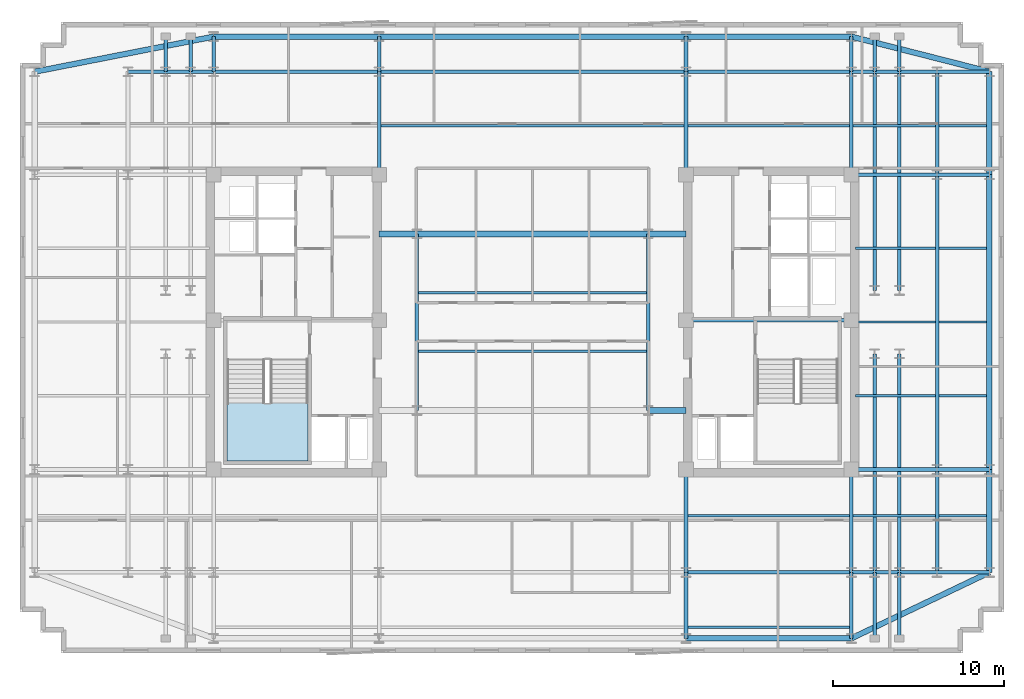
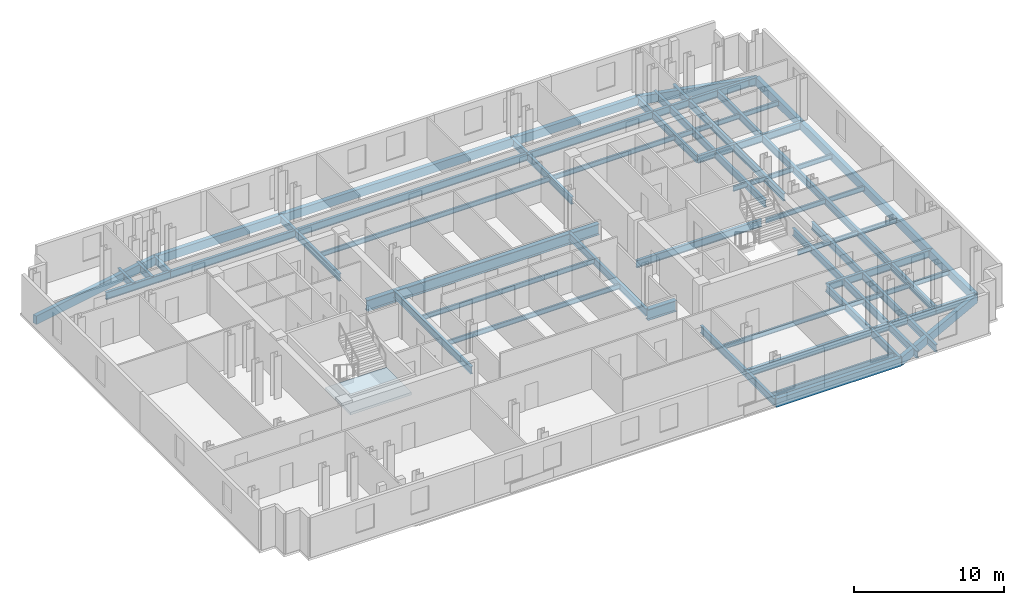
# One storey, part 2 of 9: 70 beams, 1 slab, 1 element without a shape of its own.
"""IFC4 building model written with IfcOpenShell, lengths in metres."""

from ifc_helpers import new_model, si_unit, direction, frame, origin, origin_2d, place, context, subcontext, project, spatial, polyline, rectangle, i_section, outline, extrude, material, layer, layer_set, material_profile, profile_set, type_object, element, aggregate, save


model = new_model("IFC4")

# Units and contexts
model_context = context("Model", 3, precision=1e-05, world=origin(), true_north=direction((0.0, 1.0)))
body_context = subcontext(model_context, "Body", "Model", "MODEL_VIEW")
ifc_project = project(units=[si_unit("LENGTHUNIT", "METRE"), si_unit("AREAUNIT", "SQUARE_METRE"), si_unit("VOLUMEUNIT", "CUBIC_METRE"), si_unit("PLANEANGLEUNIT", "RADIAN"), si_unit("MASSUNIT", "GRAM", prefix="KILO")], contexts=[model_context])

# Site, building, storey
site_placement = place(None, origin())
site = spatial("IfcSite", under=ifc_project, at=site_placement, CompositionType="ELEMENT")
building_placement = place(site_placement, origin())
building = spatial("IfcBuilding", under=site, at=building_placement, Name="Velakula Bourse", CompositionType="ELEMENT")
storey_placement = place(building_placement, frame((0.0, 0.0, 236.10009765625)))
storey = spatial("IfcBuildingStorey", under=building, at=storey_placement, Name="L64", CompositionType="ELEMENT", Elevation=236.10009765625)

# Beams
ifc_material_1 = material(Name="Steel IS 2062 Grade 350 (E350)", Category="steel")
ifc_material_profile_1 = material_profile(ifc_material_1, i_section(OverallWidth=0.2099609375, OverallDepth=0.60009765625, WebThickness=0.011962890625, FlangeThickness=0.020751953125, at=origin_2d()), Name="Steel IS 2062 Grade 350 (E350)")
ifc_profile_set_1 = profile_set([ifc_material_profile_1], Name="Steel IS 2062 Grade 350 (E350)")
beam_type_1 = type_object("IfcBeamType", Name="BM-GRD-600L", PredefinedType="BEAM", material=ifc_profile_set_1)
beam_1_placement = place(storey_placement, frame((8.949951171875, 0.10009765625, -0.47998046875), z_axis=(1.0, 0.0, 0.0), x_axis=(0.0, 1.0, 0.0)))
element("IfcBeam", 1, at=beam_1_placement, inside=storey, type_object=beam_type_1, Name="L64 Primary Backbone Girder CRE-M", PredefinedType="BEAM", context=body_context, shape_type="SweptSolid", body=[
    extrude(i_section(OverallWidth=0.2099609375, OverallDepth=0.60009765625, WebThickness=0.011962890625, FlangeThickness=0.020751953125, at=origin_2d()), origin(), (0.0, 0.0, 1.0), 9.650146484375),
])
for number, where, z_axis, x_axis, name in (
    (2, (-6.75, -5.14990234375, -0.47998046875), (0.0, 1.0, 0.0), (-1.0, 0.0, 0.0), "L64 Primary Backbone Girder SPN-W"),
    (3, (6.75, -5.14990234375, -0.47998046875), (0.0, 1.0, 0.0), (-1.0, 0.0, 0.0), "L64 Primary Backbone Girder SPN-E"),
):
    element("IfcBeam", number, at=place(storey_placement, frame(where, z_axis=z_axis, x_axis=x_axis)), inside=storey, type_object=beam_type_1, Name=name, PredefinedType="BEAM", context=body_context, shape_type="SweptSolid", body=[
        extrude(i_section(OverallWidth=0.2099609375, OverallDepth=0.60009765625, WebThickness=0.011962890625, FlangeThickness=0.020751953125, at=origin_2d()), origin(), (0.0, 0.0, 1.0), 10.2998046875),
    ])
for number, where, z_axis, x_axis, name in (
    (4, (-8.949951171875, 8.60009765625, -0.47998046875), (0.0, 1.0, 0.0), (-1.0, 0.0, 0.0), "L64 Fulcrum Grid Girder FLC-WCN"),
    (5, (8.949951171875, -14.60009765625, -0.47998046875), (0.0, 1.0, 0.0), (-1.0, 0.0, 0.0), "L64 Fulcrum Grid Girder FLC-ECS"),
    (6, (8.949951171875, 8.60009765625, -0.47998046875), (0.0, 1.0, 0.0), (-1.0, 0.0, 0.0), "L64 Fulcrum Grid Girder FLC-ECN"),
    (7, (18.60009765625, -14.60009765625, -0.47998046875), (0.0, 1.0, 0.0), (-1.0, 0.0, 0.0), "L64 Fulcrum Grid Girder FLC-ES"),
    (8, (18.60009765625, 8.60009765625, -0.47998046875), (0.0, 1.0, 0.0), (-1.0, 0.0, 0.0), "L64 Fulcrum Grid Girder FLC-EN"),
):
    element("IfcBeam", number, at=place(storey_placement, frame(where, z_axis=z_axis, x_axis=x_axis)), inside=storey, type_object=beam_type_1, Name=name, PredefinedType="BEAM", context=body_context, shape_type="SweptSolid", body=[
        extrude(i_section(OverallWidth=0.2099609375, OverallDepth=0.60009765625, WebThickness=0.011962890625, FlangeThickness=0.020751953125, at=origin_2d()), origin(), (0.0, 0.0, 1.0), 6.0),
    ])
for number, where, z_axis, x_axis, name in (
    (9, (8.949951171875, -14.60009765625, -0.47998046875), (1.0, 0.0, 0.0), (0.0, 1.0, 0.0), "L64 Fulcrum Grid Girder FLC-S3"),
    (10, (-18.60009765625, 14.60009765625, -0.47998046875), (1.0, 0.0, 0.0), (0.0, 1.0, 0.0), "L64 Fulcrum Grid Girder FLC-N1"),
):
    element("IfcBeam", number, at=place(storey_placement, frame(where, z_axis=z_axis, x_axis=x_axis)), inside=storey, type_object=beam_type_1, Name=name, PredefinedType="BEAM", context=body_context, shape_type="SweptSolid", body=[
        extrude(i_section(OverallWidth=0.2099609375, OverallDepth=0.60009765625, WebThickness=0.011962890625, FlangeThickness=0.020751953125, at=origin_2d()), origin(), (0.0, 0.0, 1.0), 9.650146484375),
    ])
beam_2_placement = place(storey_placement, frame((-8.949951171875, 14.60009765625, -0.47998046875), z_axis=(1.0, 0.0, 0.0), x_axis=(0.0, 1.0, 0.0)))
element("IfcBeam", 11, at=beam_2_placement, inside=storey, type_object=beam_type_1, Name="L64 Fulcrum Grid Girder FLC-N2", PredefinedType="BEAM", context=body_context, shape_type="SweptSolid", body=[
    extrude(i_section(OverallWidth=0.2099609375, OverallDepth=0.60009765625, WebThickness=0.011962890625, FlangeThickness=0.020751953125, at=origin_2d()), origin(), (0.0, 0.0, 1.0), 17.89990234375),
])
beam_3_placement = place(storey_placement, frame((8.949951171875, 14.60009765625, -0.47998046875), z_axis=(1.0, 0.0, 0.0), x_axis=(0.0, 1.0, 0.0)))
element("IfcBeam", 12, at=beam_3_placement, inside=storey, type_object=beam_type_1, Name="L64 Fulcrum Grid Girder FLC-N3", PredefinedType="BEAM", context=body_context, shape_type="SweptSolid", body=[
    extrude(i_section(OverallWidth=0.2099609375, OverallDepth=0.60009765625, WebThickness=0.011962890625, FlangeThickness=0.020751953125, at=origin_2d()), origin(), (0.0, 0.0, 1.0), 9.650146484375),
])
for number, where, z_axis, x_axis, name in (
    (13, (19.949951171875, -14.60009765625, -0.47998046875), (0.0, 1.0, 0.0), (-1.0, 0.0, 0.0), "L64 Fulcrum Grid Girder FLC-PSE1"),
    (14, (19.949951171875, 1.85009765625, -0.47998046875), (0.0, 1.0, 0.0), (-1.0, 0.0, 0.0), "L64 Fulcrum Grid Girder FLC-PNE1"),
    (15, (21.39990234375, -14.60009765625, -0.47998046875), (0.0, 1.0, 0.0), (-1.0, 0.0, 0.0), "L64 Fulcrum Grid Girder FLC-PSE2"),
    (16, (21.39990234375, 1.85009765625, -0.47998046875), (0.0, 1.0, 0.0), (-1.0, 0.0, 0.0), "L64 Fulcrum Grid Girder FLC-PNE2"),
):
    element("IfcBeam", number, at=place(storey_placement, frame(where, z_axis=z_axis, x_axis=x_axis)), inside=storey, type_object=beam_type_1, Name=name, PredefinedType="BEAM", context=body_context, shape_type="SweptSolid", body=[
        extrude(i_section(OverallWidth=0.2099609375, OverallDepth=0.60009765625, WebThickness=0.011962890625, FlangeThickness=0.020751953125, at=origin_2d()), origin(), (0.0, 0.0, 1.0), 12.75),
    ])
for number, where, z_axis, x_axis, name in (
    (17, (-23.60009765625, 14.60009765625, -0.47998046875), (1.0, 0.0, 0.0), (0.0, 1.0, 0.0), "L64 Fulcrum Grid Girder MWG-WN2"),
    (18, (18.60009765625, -14.60009765625, -0.47998046875), (1.0, 0.0, 0.0), (0.0, 1.0, 0.0), "L64 Fulcrum Grid Girder MWG-ES1"),
    (19, (18.60009765625, -8.60009765625, -0.47998046875), (1.0, 0.0, 0.0), (0.0, 1.0, 0.0), "L64 Fulcrum Grid Girder MWG-ES2"),
    (20, (18.60009765625, 8.60009765625, -0.47998046875), (1.0, 0.0, 0.0), (0.0, 1.0, 0.0), "L64 Fulcrum Grid Girder MWG-EN1"),
    (21, (18.60009765625, 14.60009765625, -0.47998046875), (1.0, 0.0, 0.0), (0.0, 1.0, 0.0), "L64 Fulcrum Grid Girder MWG-EN2"),
):
    element("IfcBeam", number, at=place(storey_placement, frame(where, z_axis=z_axis, x_axis=x_axis)), inside=storey, type_object=beam_type_1, Name=name, PredefinedType="BEAM", context=body_context, shape_type="SweptSolid", body=[
        extrude(i_section(OverallWidth=0.2099609375, OverallDepth=0.60009765625, WebThickness=0.011962890625, FlangeThickness=0.020751953125, at=origin_2d()), origin(), (0.0, 0.0, 1.0), 5.0),
    ])
beam_4_placement = place(storey_placement, frame((23.60009765625, -14.60009765625, -0.47998046875), z_axis=(0.0, 1.0, 0.0), x_axis=(-1.0, 0.0, 0.0)))
element("IfcBeam", 22, at=beam_4_placement, inside=storey, type_object=beam_type_1, Name="L64 Fulcrum Grid Girder MWG-ENS1", PredefinedType="BEAM", context=body_context, shape_type="SweptSolid", body=[
    extrude(i_section(OverallWidth=0.2099609375, OverallDepth=0.60009765625, WebThickness=0.011962890625, FlangeThickness=0.020751953125, at=origin_2d()), origin(), (0.0, 0.0, 1.0), 6.0),
])
beam_5_placement = place(storey_placement, frame((23.60009765625, -8.60009765625, -0.47998046875), z_axis=(0.0, 1.0, 0.0), x_axis=(-1.0, 0.0, 0.0)))
element("IfcBeam", 23, at=beam_5_placement, inside=storey, type_object=beam_type_1, Name="L64 Fulcrum Grid Girder MWG-ENS2", PredefinedType="BEAM", context=body_context, shape_type="SweptSolid", body=[
    extrude(i_section(OverallWidth=0.2099609375, OverallDepth=0.60009765625, WebThickness=0.011962890625, FlangeThickness=0.020751953125, at=origin_2d()), origin(), (0.0, 0.0, 1.0), 17.2001953125),
])
beam_6_placement = place(storey_placement, frame((23.60009765625, 8.60009765625, -0.47998046875), z_axis=(0.0, 1.0, 0.0), x_axis=(-1.0, 0.0, 0.0)))
element("IfcBeam", 24, at=beam_6_placement, inside=storey, type_object=beam_type_1, Name="L64 Fulcrum Grid Girder MWG-ENS3", PredefinedType="BEAM", context=body_context, shape_type="SweptSolid", body=[
    extrude(i_section(OverallWidth=0.2099609375, OverallDepth=0.60009765625, WebThickness=0.011962890625, FlangeThickness=0.020751953125, at=origin_2d()), origin(), (0.0, 0.0, 1.0), 6.0),
])
for number, where, z_axis, x_axis, name in (
    (25, (8.949951171875, -14.60009765625, -0.47998046875), (0.0, -1.0, 0.0), (1.0, 0.0, 0.0), "L64 Perimeter Tie Girder S3"),
    (26, (18.60009765625, -14.60009765625, -0.47998046875), (0.0, -1.0, 0.0), (1.0, 0.0, 0.0), "L64 Perimeter Tie Girder S4"),
):
    element("IfcBeam", number, at=place(storey_placement, frame(where, z_axis=z_axis, x_axis=x_axis)), inside=storey, type_object=beam_type_1, Name=name, PredefinedType="BEAM", context=body_context, shape_type="SweptSolid", body=[
        extrude(i_section(OverallWidth=0.2099609375, OverallDepth=0.60009765625, WebThickness=0.011962890625, FlangeThickness=0.020751953125, at=origin_2d()), origin(), (0.0, 0.0, 1.0), 3.849853515625),
    ])
for number, where, z_axis, x_axis, name in (
    (27, (-18.60009765625, 14.60009765625, -0.47998046875), (0.0, 1.0, 0.0), (-1.0, 0.0, 0.0), "L64 Perimeter Tie Girder N1"),
    (28, (-8.949951171875, 14.60009765625, -0.47998046875), (0.0, 1.0, 0.0), (-1.0, 0.0, 0.0), "L64 Perimeter Tie Girder N2"),
    (29, (8.949951171875, 14.60009765625, -0.47998046875), (0.0, 1.0, 0.0), (-1.0, 0.0, 0.0), "L64 Perimeter Tie Girder N3"),
    (30, (18.60009765625, 14.60009765625, -0.47998046875), (0.0, 1.0, 0.0), (-1.0, 0.0, 0.0), "L64 Perimeter Tie Girder N4"),
):
    element("IfcBeam", number, at=place(storey_placement, frame(where, z_axis=z_axis, x_axis=x_axis)), inside=storey, type_object=beam_type_1, Name=name, PredefinedType="BEAM", context=body_context, shape_type="SweptSolid", body=[
        extrude(i_section(OverallWidth=0.2099609375, OverallDepth=0.60009765625, WebThickness=0.011962890625, FlangeThickness=0.020751953125, at=origin_2d()), origin(), (0.0, 0.0, 1.0), 2.0498046875),
    ])
for number, where, z_axis, x_axis, name in (
    (31, (23.60009765625, -14.60009765625, -0.47998046875), (1.0, 0.0, 0.0), (0.0, 1.0, 0.0), "L64 Perimeter Tie Girder E1"),
    (32, (23.60009765625, -8.60009765625, -0.47998046875), (1.0, 0.0, 0.0), (0.0, 1.0, 0.0), "L64 Perimeter Tie Girder E2"),
    (33, (23.60009765625, 8.60009765625, -0.47998046875), (1.0, 0.0, 0.0), (0.0, 1.0, 0.0), "L64 Perimeter Tie Girder E3"),
    (34, (23.60009765625, 14.60009765625, -0.47998046875), (1.0, 0.0, 0.0), (0.0, 1.0, 0.0), "L64 Perimeter Tie Girder E4"),
):
    element("IfcBeam", number, at=place(storey_placement, frame(where, z_axis=z_axis, x_axis=x_axis)), inside=storey, type_object=beam_type_1, Name=name, PredefinedType="BEAM", context=body_context, shape_type="SweptSolid", body=[
        extrude(i_section(OverallWidth=0.2099609375, OverallDepth=0.60009765625, WebThickness=0.011962890625, FlangeThickness=0.020751953125, at=origin_2d()), origin(), (0.0, 0.0, 1.0), 3.0498046875),
    ])
for number, where, z_axis, x_axis, name in (
    (35, (19.949951171875, -14.60009765625, -0.47998046875), (0.0, -1.0, 0.0), (1.0, 0.0, 0.0), "L64 Perimeter Tie Girder P03"),
    (36, (21.39990234375, -14.60009765625, -0.47998046875), (0.0, -1.0, 0.0), (1.0, 0.0, 0.0), "L64 Perimeter Tie Girder P04"),
):
    element("IfcBeam", number, at=place(storey_placement, frame(where, z_axis=z_axis, x_axis=x_axis)), inside=storey, type_object=beam_type_1, Name=name, PredefinedType="BEAM", context=body_context, shape_type="SweptSolid", body=[
        extrude(i_section(OverallWidth=0.2099609375, OverallDepth=0.60009765625, WebThickness=0.011962890625, FlangeThickness=0.020751953125, at=origin_2d()), origin(), (0.0, 0.0, 1.0), 3.849853515625),
    ])
for number, where, z_axis, x_axis, name in (
    (37, (-21.39990234375, 14.60009765625, -0.47998046875), (0.0, 1.0, 0.0), (-1.0, 0.0, 0.0), "L64 Perimeter Tie Girder P05"),
    (38, (-19.949951171875, 14.60009765625, -0.47998046875), (0.0, 1.0, 0.0), (-1.0, 0.0, 0.0), "L64 Perimeter Tie Girder P06"),
    (39, (19.949951171875, 14.60009765625, -0.47998046875), (0.0, 1.0, 0.0), (-1.0, 0.0, 0.0), "L64 Perimeter Tie Girder P07"),
    (40, (21.39990234375, 14.60009765625, -0.47998046875), (0.0, 1.0, 0.0), (-1.0, 0.0, 0.0), "L64 Perimeter Tie Girder P08"),
):
    element("IfcBeam", number, at=place(storey_placement, frame(where, z_axis=z_axis, x_axis=x_axis)), inside=storey, type_object=beam_type_1, Name=name, PredefinedType="BEAM", context=body_context, shape_type="SweptSolid", body=[
        extrude(i_section(OverallWidth=0.2099609375, OverallDepth=0.60009765625, WebThickness=0.011962890625, FlangeThickness=0.020751953125, at=origin_2d()), origin(), (0.0, 0.0, 1.0), 2.0498046875),
    ])
ifc_material_profile_2 = material_profile(ifc_material_1, i_section(OverallWidth=0.35009765625, OverallDepth=0.89990234375, WebThickness=0.02001953125, FlangeThickness=0.031982421875, at=origin_2d()), Name="Steel IS 2062 Grade 350 (E350)")
ifc_profile_set_2 = profile_set([ifc_material_profile_2], Name="Steel IS 2062 Grade 350 (E350)")
beam_type_2 = type_object("IfcBeamType", Name="BM-LNK-900", PredefinedType="BEAM", material=ifc_profile_set_2)
for number, where, z_axis, x_axis, name in (
    (41, (6.75, -5.14990234375, -0.630126953125), (1.0, 0.0, 0.0), (0.0, 1.0, 0.0), "L64 Primary Backbone Girder LNK-S3"),
    (42, (-8.949951171875, 5.14990234375, -0.630126953125), (1.0, 0.0, 0.0), (0.0, 1.0, 0.0), "L64 Primary Backbone Girder LNK-N1"),
):
    element("IfcBeam", number, at=place(storey_placement, frame(where, z_axis=z_axis, x_axis=x_axis)), inside=storey, type_object=beam_type_2, Name=name, PredefinedType="BEAM", context=body_context, shape_type="SweptSolid", body=[
        extrude(i_section(OverallWidth=0.35009765625, OverallDepth=0.89990234375, WebThickness=0.02001953125, FlangeThickness=0.031982421875, at=origin_2d()), origin(), (0.0, 0.0, 1.0), 2.199951171875),
    ])
beam_7_placement = place(storey_placement, frame((-6.75, 5.14990234375, -0.630126953125), z_axis=(1.0, 0.0, 0.0), x_axis=(0.0, 1.0, 0.0)))
element("IfcBeam", 43, at=beam_7_placement, inside=storey, type_object=beam_type_2, Name="L64 Primary Backbone Girder LNK-N2", PredefinedType="BEAM", context=body_context, shape_type="SweptSolid", body=[
    extrude(i_section(OverallWidth=0.35009765625, OverallDepth=0.89990234375, WebThickness=0.02001953125, FlangeThickness=0.031982421875, at=origin_2d()), origin(), (0.0, 0.0, 1.0), 13.5),
])
beam_8_placement = place(storey_placement, frame((6.75, 5.14990234375, -0.630126953125), z_axis=(1.0, 0.0, 0.0), x_axis=(0.0, 1.0, 0.0)))
element("IfcBeam", 44, at=beam_8_placement, inside=storey, type_object=beam_type_2, Name="L64 Primary Backbone Girder LNK-N3", PredefinedType="BEAM", context=body_context, shape_type="SweptSolid", body=[
    extrude(i_section(OverallWidth=0.35009765625, OverallDepth=0.89990234375, WebThickness=0.02001953125, FlangeThickness=0.031982421875, at=origin_2d()), origin(), (0.0, 0.0, 1.0), 2.199951171875),
])
ifc_material_profile_3 = material_profile(ifc_material_1, i_section(OverallWidth=0.139892578125, OverallDepth=0.39990234375, WebThickness=0.0087890625, FlangeThickness=0.01611328125, at=origin_2d()), Name="Steel IS 2062 Grade 350 (E350)")
ifc_profile_set_3 = profile_set([ifc_material_profile_3], Name="Steel IS 2062 Grade 350 (E350)")
beam_type_3 = type_object("IfcBeamType", Name="JST-TWR-400", PredefinedType="JOIST", material=ifc_profile_set_3)
for number, where, z_axis, x_axis, name in (
    (45, (9.054931640625, -17.800048828125, -0.380126953125), (1.0, 0.0, 0.0), (0.0, 1.0, 0.0), "L64 Trading Floor Composite Joist 03"),
    (46, (9.054931640625, -11.300048828125, -0.380126953125), (1.0, 0.0, 0.0), (0.0, 1.0, 0.0), "L64 Trading Floor Composite Joist 08"),
):
    element("IfcBeam", number, at=place(storey_placement, frame(where, z_axis=z_axis, x_axis=x_axis)), inside=storey, type_object=beam_type_3, Name=name, PredefinedType="JOIST", context=body_context, shape_type="SweptSolid", body=[
        extrude(i_section(OverallWidth=0.139892578125, OverallDepth=0.39990234375, WebThickness=0.0087890625, FlangeThickness=0.01611328125, at=origin_2d()), origin(), (0.0, 0.0, 1.0), 9.440185546875),
    ])
beam_9_placement = place(storey_placement, frame((18.705078125, -11.300048828125, -0.380126953125), z_axis=(1.0, 0.0, 0.0), x_axis=(0.0, 1.0, 0.0)))
element("IfcBeam", 47, at=beam_9_placement, inside=storey, type_object=beam_type_3, Name="L64 Trading Floor Composite Joist 09", PredefinedType="JOIST", context=body_context, shape_type="SweptSolid", body=[
    extrude(i_section(OverallWidth=0.139892578125, OverallDepth=0.39990234375, WebThickness=0.0087890625, FlangeThickness=0.01611328125, at=origin_2d()), origin(), (0.0, 0.0, 1.0), 4.7900390625),
])
beam_10_placement = place(storey_placement, frame((23.705078125, -11.300048828125, -0.380126953125), z_axis=(1.0, 0.0, 0.0), x_axis=(0.0, 1.0, 0.0)))
element("IfcBeam", 48, at=beam_10_placement, inside=storey, type_object=beam_type_3, Name="L64 Trading Floor Composite Joist 10", PredefinedType="JOIST", context=body_context, shape_type="SweptSolid", body=[
    extrude(i_section(OverallWidth=0.139892578125, OverallDepth=0.39990234375, WebThickness=0.0087890625, FlangeThickness=0.01611328125, at=origin_2d()), origin(), (0.0, 0.0, 1.0), 2.784912109375),
])
beam_11_placement = place(storey_placement, frame((-8.844970703125, 11.449951171875, -0.380126953125), z_axis=(1.0, 0.0, 0.0), x_axis=(0.0, 1.0, 0.0)))
element("IfcBeam", 49, at=beam_11_placement, inside=storey, type_object=beam_type_3, Name="L64 Trading Floor Composite Joist 14", PredefinedType="JOIST", context=body_context, shape_type="SweptSolid", body=[
    extrude(i_section(OverallWidth=0.139892578125, OverallDepth=0.39990234375, WebThickness=0.0087890625, FlangeThickness=0.01611328125, at=origin_2d()), origin(), (0.0, 0.0, 1.0), 17.68994140625),
])
beam_12_placement = place(storey_placement, frame((9.054931640625, 11.449951171875, -0.380126953125), z_axis=(1.0, 0.0, 0.0), x_axis=(0.0, 1.0, 0.0)))
element("IfcBeam", 50, at=beam_12_placement, inside=storey, type_object=beam_type_3, Name="L64 Trading Floor Composite Joist 15", PredefinedType="JOIST", context=body_context, shape_type="SweptSolid", body=[
    extrude(i_section(OverallWidth=0.139892578125, OverallDepth=0.39990234375, WebThickness=0.0087890625, FlangeThickness=0.01611328125, at=origin_2d()), origin(), (0.0, 0.0, 1.0), 9.440185546875),
])
beam_13_placement = place(storey_placement, frame((18.705078125, 11.449951171875, -0.380126953125), z_axis=(1.0, 0.0, 0.0), x_axis=(0.0, 1.0, 0.0)))
element("IfcBeam", 51, at=beam_13_placement, inside=storey, type_object=beam_type_3, Name="L64 Trading Floor Composite Joist 16", PredefinedType="JOIST", context=body_context, shape_type="SweptSolid", body=[
    extrude(i_section(OverallWidth=0.139892578125, OverallDepth=0.39990234375, WebThickness=0.0087890625, FlangeThickness=0.01611328125, at=origin_2d()), origin(), (0.0, 0.0, 1.0), 4.7900390625),
])
beam_14_placement = place(storey_placement, frame((23.705078125, 11.449951171875, -0.380126953125), z_axis=(1.0, 0.0, 0.0), x_axis=(0.0, 1.0, 0.0)))
element("IfcBeam", 52, at=beam_14_placement, inside=storey, type_object=beam_type_3, Name="L64 Trading Floor Composite Joist 17", PredefinedType="JOIST", context=body_context, shape_type="SweptSolid", body=[
    extrude(i_section(OverallWidth=0.139892578125, OverallDepth=0.39990234375, WebThickness=0.0087890625, FlangeThickness=0.01611328125, at=origin_2d()), origin(), (0.0, 0.0, 1.0), 2.784912109375),
])
for number, where, z_axis, x_axis, name in (
    (53, (-6.64501953125, -1.699951171875, -0.380126953125), (1.0, 0.0, 0.0), (0.0, 1.0, 0.0), "L64 Trading Floor Composite Joist 18"),
    (54, (-6.64501953125, 1.699951171875, -0.380126953125), (1.0, 0.0, 0.0), (0.0, 1.0, 0.0), "L64 Trading Floor Composite Joist 19"),
):
    element("IfcBeam", number, at=place(storey_placement, frame(where, z_axis=z_axis, x_axis=x_axis)), inside=storey, type_object=beam_type_3, Name=name, PredefinedType="JOIST", context=body_context, shape_type="SweptSolid", body=[
        extrude(i_section(OverallWidth=0.139892578125, OverallDepth=0.39990234375, WebThickness=0.0087890625, FlangeThickness=0.01611328125, at=origin_2d()), origin(), (0.0, 0.0, 1.0), 13.2900390625),
    ])
beam_15_placement = place(storey_placement, frame((18.85009765625, -4.300048828125, -0.380126953125), z_axis=(1.0, 0.0, 0.0), x_axis=(0.0, 1.0, 0.0)))
element("IfcBeam", 55, at=beam_15_placement, inside=storey, type_object=beam_type_3, Name="L64 Trading Floor Composite Joist 22", PredefinedType="JOIST", context=body_context, shape_type="SweptSolid", body=[
    extrude(i_section(OverallWidth=0.139892578125, OverallDepth=0.39990234375, WebThickness=0.0087890625, FlangeThickness=0.01611328125, at=origin_2d()), origin(), (0.0, 0.0, 1.0), 4.64501953125),
])
beam_16_placement = place(storey_placement, frame((23.705078125, -4.300048828125, -0.380126953125), z_axis=(1.0, 0.0, 0.0), x_axis=(0.0, 1.0, 0.0)))
element("IfcBeam", 56, at=beam_16_placement, inside=storey, type_object=beam_type_3, Name="L64 Trading Floor Composite Joist 23", PredefinedType="JOIST", context=body_context, shape_type="SweptSolid", body=[
    extrude(i_section(OverallWidth=0.139892578125, OverallDepth=0.39990234375, WebThickness=0.0087890625, FlangeThickness=0.01611328125, at=origin_2d()), origin(), (0.0, 0.0, 1.0), 2.784912109375),
])
beam_17_placement = place(storey_placement, frame((18.85009765625, 0.0, -0.380126953125), z_axis=(1.0, 0.0, 0.0), x_axis=(0.0, 1.0, 0.0)))
element("IfcBeam", 57, at=beam_17_placement, inside=storey, type_object=beam_type_3, Name="L64 Trading Floor Composite Joist 26", PredefinedType="JOIST", context=body_context, shape_type="SweptSolid", body=[
    extrude(i_section(OverallWidth=0.139892578125, OverallDepth=0.39990234375, WebThickness=0.0087890625, FlangeThickness=0.01611328125, at=origin_2d()), origin(), (0.0, 0.0, 1.0), 4.64501953125),
])
beam_18_placement = place(storey_placement, frame((23.705078125, 0.0, -0.380126953125), z_axis=(1.0, 0.0, 0.0), x_axis=(0.0, 1.0, 0.0)))
element("IfcBeam", 58, at=beam_18_placement, inside=storey, type_object=beam_type_3, Name="L64 Trading Floor Composite Joist 27", PredefinedType="JOIST", context=body_context, shape_type="SweptSolid", body=[
    extrude(i_section(OverallWidth=0.139892578125, OverallDepth=0.39990234375, WebThickness=0.0087890625, FlangeThickness=0.01611328125, at=origin_2d()), origin(), (0.0, 0.0, 1.0), 2.784912109375),
])
beam_19_placement = place(storey_placement, frame((18.85009765625, 4.300048828125, -0.380126953125), z_axis=(1.0, 0.0, 0.0), x_axis=(0.0, 1.0, 0.0)))
element("IfcBeam", 59, at=beam_19_placement, inside=storey, type_object=beam_type_3, Name="L64 Trading Floor Composite Joist 30", PredefinedType="JOIST", context=body_context, shape_type="SweptSolid", body=[
    extrude(i_section(OverallWidth=0.139892578125, OverallDepth=0.39990234375, WebThickness=0.0087890625, FlangeThickness=0.01611328125, at=origin_2d()), origin(), (0.0, 0.0, 1.0), 4.64501953125),
])
beam_20_placement = place(storey_placement, frame((23.705078125, 4.300048828125, -0.380126953125), z_axis=(1.0, 0.0, 0.0), x_axis=(0.0, 1.0, 0.0)))
element("IfcBeam", 60, at=beam_20_placement, inside=storey, type_object=beam_type_3, Name="L64 Trading Floor Composite Joist 31", PredefinedType="JOIST", context=body_context, shape_type="SweptSolid", body=[
    extrude(i_section(OverallWidth=0.139892578125, OverallDepth=0.39990234375, WebThickness=0.0087890625, FlangeThickness=0.01611328125, at=origin_2d()), origin(), (0.0, 0.0, 1.0), 2.784912109375),
])
ifc_material_2 = material(Name="Precast concrete M45 (fck 45 MPa)", Category="concrete")
ifc_material_profile_4 = material_profile(ifc_material_2, rectangle(XDim=0.320068359375, YDim=0.679931640625, at=origin_2d()), Name="Precast concrete M45 (fck 45 MPa)")
ifc_profile_set_4 = profile_set([ifc_material_profile_4], Name="Precast concrete M45 (fck 45 MPa)")
beam_type_4 = type_object("IfcBeamType", Name="SPN-BRICK-680", PredefinedType="SPANDREL", material=ifc_profile_set_4)
for number, where, z_axis, x_axis, name in (
    (61, (8.949951171875, -18.449951171875, -0.52001953125), (1.0, 0.0, 0.0), (0.0, 1.0, 0.0), "L64 Brick-Faced Precast Spandrel S3-S4"),
    (62, (-18.60009765625, 16.64990234375, -0.52001953125), (1.0, 0.0, 0.0), (0.0, 1.0, 0.0), "L64 Brick-Faced Precast Spandrel N1-N2"),
):
    element("IfcBeam", number, at=place(storey_placement, frame(where, z_axis=z_axis, x_axis=x_axis)), inside=storey, type_object=beam_type_4, Name=name, PredefinedType="SPANDREL", context=body_context, shape_type="SweptSolid", body=[
        extrude(rectangle(XDim=0.320068359375, YDim=0.679931640625, at=origin_2d()), origin(), (0.0, 0.0, 1.0), 9.650146484375),
    ])
beam_21_placement = place(storey_placement, frame((-8.949951171875, 16.64990234375, -0.52001953125), z_axis=(1.0, 0.0, 0.0), x_axis=(0.0, 1.0, 0.0)))
element("IfcBeam", 63, at=beam_21_placement, inside=storey, type_object=beam_type_4, Name="L64 Brick-Faced Precast Spandrel N2-N3", PredefinedType="SPANDREL", context=body_context, shape_type="SweptSolid", body=[
    extrude(rectangle(XDim=0.320068359375, YDim=0.679931640625, at=origin_2d()), origin(), (0.0, 0.0, 1.0), 17.89990234375),
])
beam_22_placement = place(storey_placement, frame((8.949951171875, 16.64990234375, -0.52001953125), z_axis=(1.0, 0.0, 0.0), x_axis=(0.0, 1.0, 0.0)))
element("IfcBeam", 64, at=beam_22_placement, inside=storey, type_object=beam_type_4, Name="L64 Brick-Faced Precast Spandrel N3-N4", PredefinedType="SPANDREL", context=body_context, shape_type="SweptSolid", body=[
    extrude(rectangle(XDim=0.320068359375, YDim=0.679931640625, at=origin_2d()), origin(), (0.0, 0.0, 1.0), 9.650146484375),
])
beam_23_placement = place(storey_placement, frame((26.64990234375, -14.60009765625, -0.52001953125), z_axis=(0.0, 1.0, 0.0), x_axis=(-1.0, 0.0, 0.0)))
element("IfcBeam", 65, at=beam_23_placement, inside=storey, type_object=beam_type_4, Name="L64 Brick-Faced Precast Spandrel E1-E2", PredefinedType="SPANDREL", context=body_context, shape_type="SweptSolid", body=[
    extrude(rectangle(XDim=0.320068359375, YDim=0.679931640625, at=origin_2d()), origin(), (0.0, 0.0, 1.0), 6.0),
])
beam_24_placement = place(storey_placement, frame((26.64990234375, -8.60009765625, -0.52001953125), z_axis=(0.0, 1.0, 0.0), x_axis=(-1.0, 0.0, 0.0)))
element("IfcBeam", 66, at=beam_24_placement, inside=storey, type_object=beam_type_4, Name="L64 Brick-Faced Precast Spandrel E2-E3", PredefinedType="SPANDREL", context=body_context, shape_type="SweptSolid", body=[
    extrude(rectangle(XDim=0.320068359375, YDim=0.679931640625, at=origin_2d()), origin(), (0.0, 0.0, 1.0), 17.2001953125),
])
beam_25_placement = place(storey_placement, frame((26.64990234375, 8.60009765625, -0.52001953125), z_axis=(0.0, 1.0, 0.0), x_axis=(-1.0, 0.0, 0.0)))
element("IfcBeam", 67, at=beam_25_placement, inside=storey, type_object=beam_type_4, Name="L64 Brick-Faced Precast Spandrel E3-E4", PredefinedType="SPANDREL", context=body_context, shape_type="SweptSolid", body=[
    extrude(rectangle(XDim=0.320068359375, YDim=0.679931640625, at=origin_2d()), origin(), (0.0, 0.0, 1.0), 6.0),
])
beam_26_placement = place(storey_placement, frame((18.60009765625, -18.449951171875, -0.52001953125), z_axis=(0.902136536758, 0.431450656561, 0.0), x_axis=(-0.431450656561, 0.902136536758, 0.0)))
element("IfcBeam", 68, at=beam_26_placement, inside=storey, type_object=beam_type_4, Name="L64 Brick-Faced Precast Spandrel S4-E1", PredefinedType="SPANDREL", context=body_context, shape_type="SweptSolid", body=[
    extrude(rectangle(XDim=0.320068359375, YDim=0.679931640625, at=origin_2d()), origin(), (0.0, 0.0, 1.0), 8.923095703125),
])
beam_27_placement = place(storey_placement, frame((26.64990234375, 14.60009765625, -0.52001953125), z_axis=(-0.969075197656, 0.246765599888, 0.0), x_axis=(-0.246765599888, -0.969075197656, 0.0)))
element("IfcBeam", 69, at=beam_27_placement, inside=storey, type_object=beam_type_4, Name="L64 Brick-Faced Precast Spandrel E4-N4", PredefinedType="SPANDREL", context=body_context, shape_type="SweptSolid", body=[
    extrude(rectangle(XDim=0.320068359375, YDim=0.679931640625, at=origin_2d()), origin(), (0.0, 0.0, 1.0), 8.306640625),
])
beam_28_placement = place(storey_placement, frame((-18.60009765625, 16.64990234375, -0.52001953125), z_axis=(-0.981299657048, -0.192486319197, 0.0), x_axis=(0.192486319197, -0.981299657048, 0.0)))
element("IfcBeam", 70, at=beam_28_placement, inside=storey, type_object=beam_type_4, Name="L64 Brick-Faced Precast Spandrel N1-W4", PredefinedType="SPANDREL", context=body_context, shape_type="SweptSolid", body=[
    extrude(rectangle(XDim=0.320068359375, YDim=0.679931640625, at=origin_2d()), origin(), (0.0, 0.0, 1.0), 10.649169921875),
])

# Stair, slab
ifc_material_3 = material(Name="Concrete M45 (fck 45 MPa)", Category="concrete")
stair_type = type_object("IfcStairType", Name="STR-DOG-390", PredefinedType="HALF_TURN_STAIR", material=ifc_material_3)
stair_placement = place(storey_placement, origin())
stair = element("IfcStair", 71, at=stair_placement, inside=storey, type_object=stair_type, Name="L64 West Core Exit Stair ST-W1", PredefinedType="HALF_TURN_STAIR")
ifc_layer = layer(ifc_material_3, 0.199951171875, Name="Concrete M45 (fck 45 MPa)", Category="concrete")
ifc_layer_set = layer_set([ifc_layer], Name="Concrete M45 (fck 45 MPa)")
slab_type = type_object("IfcSlabType", Name="SLB-STAIR-LND-200", PredefinedType="LANDING", material=ifc_layer_set)
slab_placement = place(storey_placement, frame((0.0, 0.0, 1.52490234375)))
slab = element("IfcSlab", 72, at=slab_placement, type_object=slab_type, Name="ST-W1 landing 1", PredefinedType="LANDING", context=body_context, shape_type="SweptSolid", body=[
    extrude(outline(polyline([(-17.820068359375, -4.719970703125), (-17.820068359375, -8.10009765625), (-13.10009765625, -8.10009765625), (-13.10009765625, -4.719970703125), (-17.820068359375, -4.719970703125)])), origin(), (0.0, 0.0, 1.0), 0.199951171875),
])
aggregate(stair, [slab])

save(model, "model.ifc")
